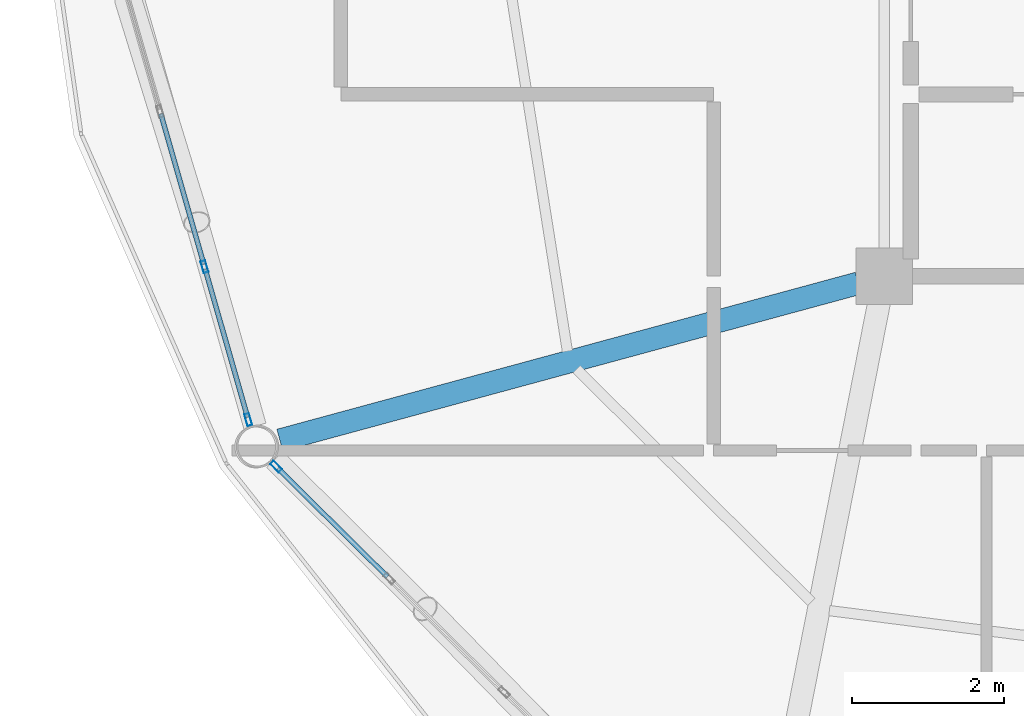
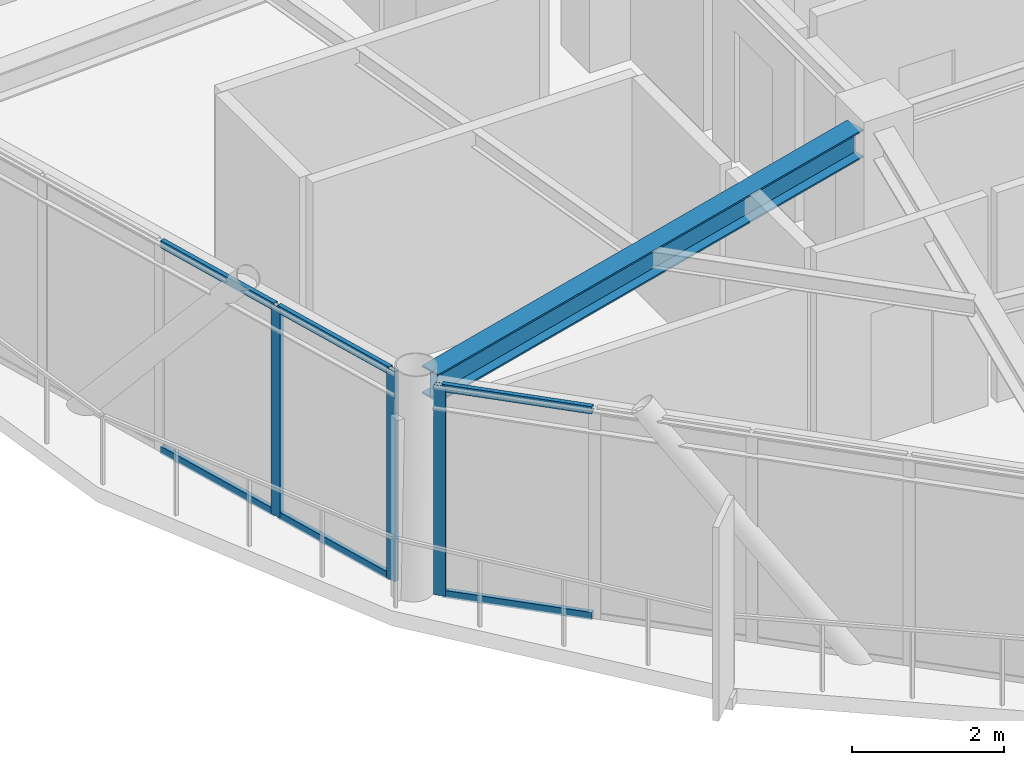
# One storey, part 4 of 24: 9 members, 1 beam, 2 elements without a shape of their own.
"""IFC4 building model written with IfcOpenShell, lengths in metres."""

from ifc_helpers import new_model, si_unit, direction, frame, origin, origin_2d, place, context, subcontext, project, spatial, hollow_rectangle, i_section, extrude, material, layer, layer_set, material_profile, profile_set, type_object, element, aggregate, save


model = new_model("IFC4")

# Units and contexts
model_context = context("Model", 3, precision=1e-05, world=origin(), true_north=direction((0.0, 1.0)))
body_context = subcontext(model_context, "Body", "Model", "MODEL_VIEW")
ifc_project = project(units=[si_unit("LENGTHUNIT", "METRE"), si_unit("AREAUNIT", "SQUARE_METRE"), si_unit("VOLUMEUNIT", "CUBIC_METRE"), si_unit("PLANEANGLEUNIT", "RADIAN"), si_unit("MASSUNIT", "GRAM", prefix="KILO")], contexts=[model_context])

# Site, building, storey
site_placement = place(None, origin())
site = spatial("IfcSite", under=ifc_project, at=site_placement, CompositionType="ELEMENT")
building_placement = place(site_placement, origin())
building = spatial("IfcBuilding", under=site, at=building_placement, Name="Varnakorn Sky Granary", CompositionType="ELEMENT")
storey_placement = place(building_placement, frame((0.0, 0.0, 274.199951171875)))
storey = spatial("IfcBuildingStorey", under=building, at=storey_placement, Name="L70", CompositionType="ELEMENT", Elevation=274.199951171875)

# Beam
ifc_material_1 = material(Name="Steel S355JR", Category="steel")
ifc_material_profile_1 = material_profile(ifc_material_1, i_section(OverallWidth=0.300048828125, OverallDepth=0.449951171875, WebThickness=0.013916015625, FlangeThickness=0.02587890625, at=origin_2d()), Name="HE 450 B")
ifc_profile_set_1 = profile_set([ifc_material_profile_1], Name="Steel S355JR")
beam_type = type_object("IfcBeamType", Name="BM-RAD-Z5", PredefinedType="BEAM", material=ifc_profile_set_1)
beam_placement = place(storey_placement, frame((-2.692626953125, -6.693115234375, 3.135009765625), z_axis=(-0.965104236714, -0.261866019705, 0.0), x_axis=(0.261866019705, -0.965104236714, 0.0)))
element("IfcBeam", 1, at=beam_placement, inside=storey, type_object=beam_type, Name="Radial Floor Girder RG08 L70", PredefinedType="BEAM", context=body_context, shape_type="SweptSolid", body=[
    extrude(i_section(OverallWidth=0.300048828125, OverallDepth=0.449951171875, WebThickness=0.013916015625, FlangeThickness=0.02587890625, at=origin_2d()), origin(), (0.0, 0.0, 1.0), 7.90869140625),
])

# Curtain wall, members
ifc_material_2 = material(Name="Anodised Bronze Aluminium Alloy 6063-T6", Category="aluminium")
ifc_layer = layer(ifc_material_2, 0.159912109375, Name="Anodised Bronze Aluminium Alloy 6063-T6")
ifc_layer_set = layer_set([ifc_layer], Name="Anodised Bronze Aluminium Alloy 6063-T6")
curtain_wall_type = type_object("IfcCurtainWallType", Name="CW-OFF-1", PredefinedType="USERDEFINED", material=ifc_layer_set)
curtain_wall_1_placement = place(storey_placement, origin())
curtain_wall_1 = element("IfcCurtainWall", 2, at=curtain_wall_1_placement, inside=storey, type_object=curtain_wall_type, Name="Unitised Curtain Wall CW6 CW-L70-B07", ObjectType="CURTAIN WALL", PredefinedType="USERDEFINED")
ifc_material_profile_2 = material_profile(ifc_material_2, hollow_rectangle(XDim=0.06494140625, YDim=0.159912109375, WallThickness=0.00341796875, at=origin_2d()), Name="ALU MULL 65x160")
ifc_profile_set_2 = profile_set([ifc_material_profile_2], Name="Anodised Bronze Aluminium Alloy 6063-T6")
member_type_1 = type_object("IfcMemberType", Name="CW-OFF-1-MULL", PredefinedType="MULLION", material=ifc_profile_set_2)
member_1_placement = place(storey_placement, frame((-10.741943359375, -8.492431640625, 0.0), z_axis=(0.0, 0.0, 1.0), x_axis=(-0.961448226015, -0.27498601545, 0.0)))
member_1 = element("IfcMember", 3, at=member_1_placement, type_object=member_type_1, Name="CW6 mullion 1", PredefinedType="MULLION", context=body_context, shape_type="SweptSolid", body=[
    extrude(hollow_rectangle(XDim=0.06494140625, YDim=0.159912109375, WallThickness=0.00341796875, at=origin_2d()), origin(), (0.0, 0.0, 1.0), 3.360107421875),
])
member_2_placement = place(storey_placement, frame((-11.3193359375, -6.474365234375, 0.0), z_axis=(0.0, 0.0, 1.0), x_axis=(-0.961448226015, -0.27498601545, 0.0)))
member_2 = element("IfcMember", 4, at=member_2_placement, type_object=member_type_1, Name="CW6 mullion 2", PredefinedType="MULLION", context=body_context, shape_type="SweptSolid", body=[
    extrude(hollow_rectangle(XDim=0.06494140625, YDim=0.159912109375, WallThickness=0.00341796875, at=origin_2d()), origin(), (0.0, 0.0, 1.0), 3.360107421875),
])

# Curtain wall, member
curtain_wall_2_placement = place(storey_placement, origin())
curtain_wall_2 = element("IfcCurtainWall", 5, at=curtain_wall_2_placement, inside=storey, type_object=curtain_wall_type, Name="Unitised Curtain Wall CW6 CW-L70-B08", ObjectType="CURTAIN WALL", PredefinedType="USERDEFINED")
member_3_placement = place(storey_placement, frame((-10.375244140625, -9.111572265625, 0.0), z_axis=(0.0, 0.0, 1.0), x_axis=(-0.703399020646, -0.710795200993, 0.0)))
member_3 = element("IfcMember", 6, at=member_3_placement, type_object=member_type_1, Name="CW6 mullion 5", PredefinedType="MULLION", context=body_context, shape_type="SweptSolid", body=[
    extrude(hollow_rectangle(XDim=0.06494140625, YDim=0.159912109375, WallThickness=0.00341796875, at=origin_2d()), origin(), (0.0, 0.0, 1.0), 3.360107421875),
])

# Member
ifc_material_profile_3 = material_profile(ifc_material_2, hollow_rectangle(XDim=0.06494140625, YDim=0.1201171875, WallThickness=0.00341796875, at=origin_2d()), Name="ALU TRAN 65x120")
ifc_profile_set_3 = profile_set([ifc_material_profile_3], Name="Anodised Bronze Aluminium Alloy 6063-T6")
member_type_2 = type_object("IfcMemberType", Name="CW-OFF-1-TRAN", PredefinedType="USERDEFINED", material=ifc_profile_set_3)
member_4_placement = place(storey_placement, frame((-10.7509765625, -8.461181640625, 0.032470703125), z_axis=(-0.274990620279, 0.961446908965, 0.0), x_axis=(-0.961446908965, -0.274990620279, 0.0)))
member_4 = element("IfcMember", 7, at=member_4_placement, type_object=member_type_2, Name="CW6 transom 1.1", ObjectType="TRANSOM", PredefinedType="USERDEFINED", context=body_context, shape_type="SweptSolid", body=[
    extrude(hollow_rectangle(XDim=0.06494140625, YDim=0.1201171875, WallThickness=0.00341796875, at=origin_2d()), origin(), (0.0, 0.0, 1.0), 2.033935546875),
])

member_5_placement = place(storey_placement, frame((-10.7509765625, -8.461181640625, 3.32763671875), z_axis=(-0.274990620279, 0.961446908965, 0.0), x_axis=(-0.961446908965, -0.274990620279, 0.0)))
member_5 = element("IfcMember", 8, at=member_5_placement, type_object=member_type_2, Name="CW6 transom 1.2", ObjectType="TRANSOM", PredefinedType="USERDEFINED", context=body_context, shape_type="SweptSolid", body=[
    extrude(hollow_rectangle(XDim=0.06494140625, YDim=0.1201171875, WallThickness=0.00341796875, at=origin_2d()), origin(), (0.0, 0.0, 1.0), 2.033935546875),
])

member_6_placement = place(storey_placement, frame((-11.328125, -6.443115234375, 0.032470703125), z_axis=(-0.275033185057, 0.961434733675, 0.0), x_axis=(-0.961434733675, -0.275033185057, 0.0)))
member_6 = element("IfcMember", 9, at=member_6_placement, type_object=member_type_2, Name="CW6 transom 2.1", ObjectType="TRANSOM", PredefinedType="USERDEFINED", context=body_context, shape_type="SweptSolid", body=[
    extrude(hollow_rectangle(XDim=0.06494140625, YDim=0.1201171875, WallThickness=0.00341796875, at=origin_2d()), origin(), (0.0, 0.0, 1.0), 2.06640625),
])

member_7_placement = place(storey_placement, frame((-11.328125, -6.443115234375, 3.32763671875), z_axis=(-0.275033185057, 0.961434733675, 0.0), x_axis=(-0.961434733675, -0.275033185057, 0.0)))
member_7 = element("IfcMember", 10, at=member_7_placement, type_object=member_type_2, Name="CW6 transom 2.2", ObjectType="TRANSOM", PredefinedType="USERDEFINED", context=body_context, shape_type="SweptSolid", body=[
    extrude(hollow_rectangle(XDim=0.06494140625, YDim=0.1201171875, WallThickness=0.00341796875, at=origin_2d()), origin(), (0.0, 0.0, 1.0), 2.06640625),
])

aggregate(curtain_wall_1, [member_1, member_2, member_4, member_5, member_6, member_7])

member_8_placement = place(storey_placement, frame((-8.905517578125, -10.566162109375, 0.032470703125), z_axis=(-0.710815410911, 0.703378597635, 0.0), x_axis=(-0.703378597635, -0.710815410911, 0.0)))
member_8 = element("IfcMember", 11, at=member_8_placement, type_object=member_type_2, Name="CW6 transom 4.1", ObjectType="TRANSOM", PredefinedType="USERDEFINED", context=body_context, shape_type="SweptSolid", body=[
    extrude(hollow_rectangle(XDim=0.06494140625, YDim=0.1201171875, WallThickness=0.00341796875, at=origin_2d()), origin(), (0.0, 0.0, 1.0), 2.035400390625),
])

member_9_placement = place(storey_placement, frame((-8.905517578125, -10.566162109375, 3.32763671875), z_axis=(-0.710815410911, 0.703378597635, 0.0), x_axis=(-0.703378597635, -0.710815410911, 0.0)))
member_9 = element("IfcMember", 12, at=member_9_placement, type_object=member_type_2, Name="CW6 transom 4.2", ObjectType="TRANSOM", PredefinedType="USERDEFINED", context=body_context, shape_type="SweptSolid", body=[
    extrude(hollow_rectangle(XDim=0.06494140625, YDim=0.1201171875, WallThickness=0.00341796875, at=origin_2d()), origin(), (0.0, 0.0, 1.0), 2.035400390625),
])

aggregate(curtain_wall_2, [member_3, member_8, member_9])

save(model, "model.ifc")
